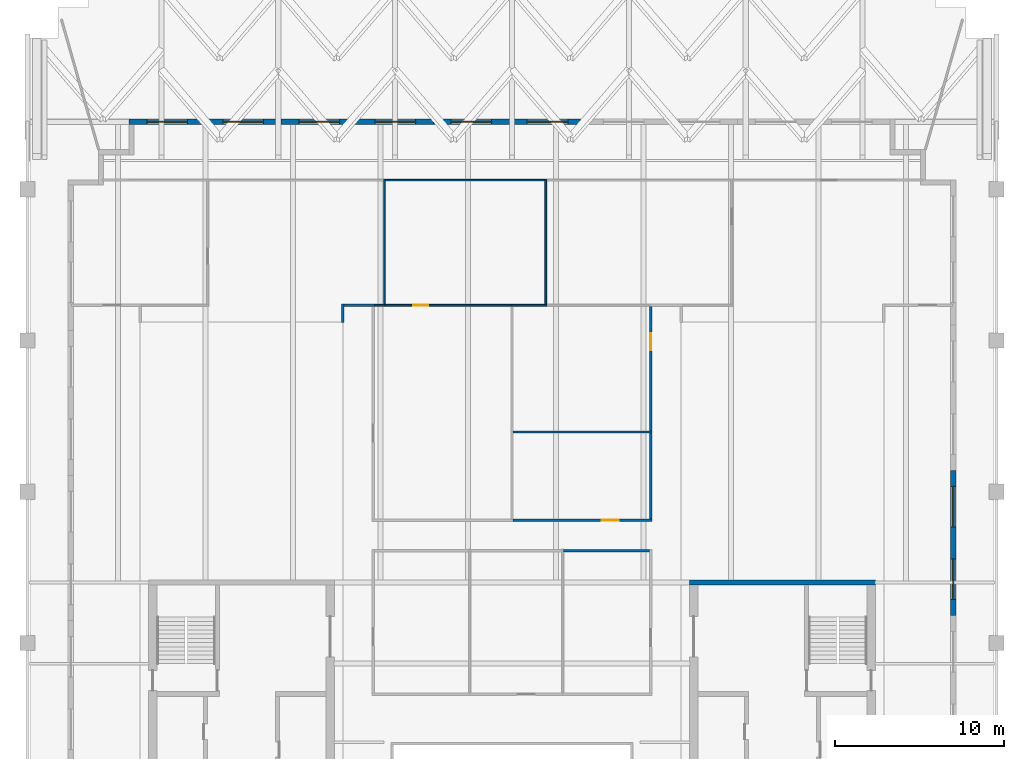
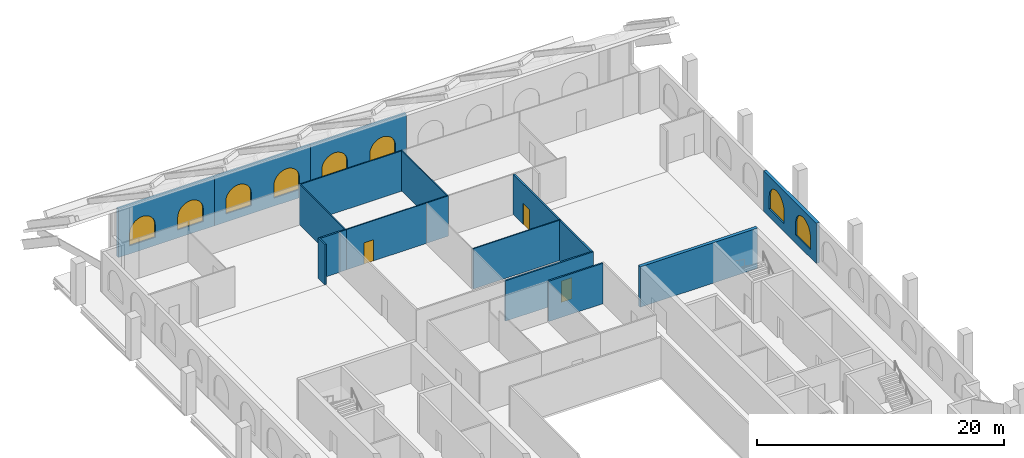
# One storey, part 7 of 10: 18 walls, 8 windows, 3 doors, 11 openings.
"""IFC4 building model written with IfcOpenShell, lengths in metres."""

import ifcopenshell
import ifcopenshell.guid

model = None  # the IFC model being written
_history = None  # IfcOwnerHistory: only IFC2X3 demands one
_inside = {}  # id of a spatial element -> (the spatial element, [elements in it])
_under = {}  # id of a project, library or spatial element -> (it, [spatial elements below it])
_declared = {}  # id of a project -> (the project, [libraries it declares])
_typed = {}  # id of a type object -> (the type object, [elements of that type])
_made_of = {}  # id of a material, layer set ... -> (it, [elements and type objects made of it])


def new_model(schema):
    """Start an empty IFC model of exactly this schema.

    Asked for "IFC4X3", IfcOpenShell would pick the latest addendum, in which some entities
    have other attributes; the version numbers below select the first issue.
    IFC2X3 requires an IfcOwnerHistory on every rooted entity: one is made here for all.
    """
    global model, _history
    if schema == "IFC4X3":
        model = ifcopenshell.file(schema_version=(4, 3, 0, 0))
    else:
        model = ifcopenshell.file(schema=schema)
    _inside.clear()
    _under.clear()
    _declared.clear()
    _typed.clear()
    _made_of.clear()
    _history = None
    if model.schema == "IFC2X3":
        org = make("IfcOrganization", Name="unknown")
        user = make(
            "IfcPersonAndOrganization",
            ThePerson=make("IfcPerson", FamilyName="unknown"),
            TheOrganization=org,
        )
        app = make(
            "IfcApplication",
            ApplicationDeveloper=org,
            Version="unknown",
            ApplicationFullName="unknown",
            ApplicationIdentifier="unknown",
        )
        _history = make(
            "IfcOwnerHistory",
            OwningUser=user,
            OwningApplication=app,
            ChangeAction="ADDED",
            CreationDate=0,
        )
    return model


def make(cls, **values):
    """One entity of the class cls with the attributes given. An attribute that is None is left unset."""
    return model.create_entity(
        cls, **{name: value for name, value in values.items() if value is not None}
    )


def rooted(cls, **values):
    """An entity with a GlobalId (a new one), such as an element, a storey or a relation."""
    return make(cls, GlobalId=ifcopenshell.guid.new(), OwnerHistory=_history, **values)


def si_unit(unit_type, name, prefix=None):
    """IfcSIUnit, for example si_unit("LENGTHUNIT", "METRE", prefix="MILLI")."""
    return make("IfcSIUnit", UnitType=unit_type, Prefix=prefix, Name=name)


def assignment(units):
    """IfcUnitAssignment: the units of a project."""
    return None if units is None else make("IfcUnitAssignment", Units=units)


def point(xyz):
    """IfcCartesianPoint."""
    return None if xyz is None else make("IfcCartesianPoint", Coordinates=xyz)


def direction(xyz):
    """IfcDirection."""
    return None if xyz is None else make("IfcDirection", DirectionRatios=xyz)


def frame(location, z_axis=None, x_axis=None):
    """IfcAxis2Placement3D, a coordinate frame: its origin and axes. An axis left out is left unset."""
    return make(
        "IfcAxis2Placement3D",
        Location=point(location),
        Axis=direction(z_axis),
        RefDirection=direction(x_axis),
    )


def frame_2d(location, x_axis=None):
    """IfcAxis2Placement2D, a coordinate frame in the plane: its origin and x axis."""
    return make(
        "IfcAxis2Placement2D", Location=point(location), RefDirection=direction(x_axis)
    )


def origin():
    """The frame at (0, 0, 0) with its axes left unset."""
    return frame((0.0, 0.0, 0.0))


def place(relative_to, where):
    """IfcLocalPlacement: puts the frame where relative to a parent placement (None: the world)."""
    return make(
        "IfcLocalPlacement", PlacementRelTo=relative_to, RelativePlacement=where
    )


def context(
    kind, dimensions, precision=None, world=None, true_north=None, identifier=None
):
    """IfcGeometricRepresentationContext, for example the 3D "Model" context."""
    return make(
        "IfcGeometricRepresentationContext",
        ContextIdentifier=identifier,
        ContextType=kind,
        CoordinateSpaceDimension=dimensions,
        Precision=precision,
        WorldCoordinateSystem=world,
        TrueNorth=true_north,
    )


def subcontext(parent, identifier, kind, view, scale=None):
    """IfcGeometricRepresentationSubContext, for example "Body" below "Model"."""
    return make(
        "IfcGeometricRepresentationSubContext",
        ContextIdentifier=identifier,
        ContextType=kind,
        ParentContext=parent,
        TargetScale=scale,
        TargetView=view,
    )


def project(units=None, contexts=None):
    """IfcProject with its units and contexts."""
    return rooted(
        "IfcProject",
        Name="project",
        RepresentationContexts=contexts,
        UnitsInContext=assignment(units),
    )


def spatial(cls, under=None, at=None, **own):
    """A site, building, storey or space (cls), placed at a placement, below another one or the project."""
    s = rooted(cls, ObjectPlacement=at, **own)
    if under is not None:
        _under.setdefault(under.id(), (under, []))[1].append(s)
    return s


def polyline(points):
    """IfcPolyline through the points."""
    return make("IfcPolyline", Points=[point(p) for p in points])


def profile(cls, at=None, kind="AREA", **sizes):
    """A parametric profile (cls). Its sizes go by their IFC names, for example OverallWidth=200.0."""
    return make(cls, ProfileType=kind, Position=at, **sizes)


def rectangle(**sizes):
    """IfcRectangleProfileDef."""
    return profile("IfcRectangleProfileDef", **sizes)


def outline(outer, holes=None, kind="AREA"):
    """IfcArbitraryClosedProfileDef: a profile drawn as a closed curve; with holes, ...WithVoids."""
    if holes is None:
        return make("IfcArbitraryClosedProfileDef", ProfileType=kind, OuterCurve=outer)
    return make(
        "IfcArbitraryProfileDefWithVoids",
        ProfileType=kind,
        OuterCurve=outer,
        InnerCurves=holes,
    )


def extrude(swept, where, along, depth):
    """IfcExtrudedAreaSolid: the profile swept, set in the frame where, extruded along a direction by depth."""
    return make(
        "IfcExtrudedAreaSolid",
        SweptArea=swept,
        Position=where,
        ExtrudedDirection=direction(along),
        Depth=depth,
    )


def shape(context_of_items, identifier, shape_type, items):
    """IfcShapeRepresentation: the items that make up one representation, for example the "Body"."""
    return make(
        "IfcShapeRepresentation",
        ContextOfItems=context_of_items,
        RepresentationIdentifier=identifier,
        RepresentationType=shape_type,
        Items=items,
    )


def material(Name=None, Category=None):
    """IfcMaterial."""
    return make("IfcMaterial", Name=Name, Category=Category)


def layer(
    of_material, thickness, ventilated=None, Name=None, Category=None, Priority=None
):
    """IfcMaterialLayer: one layer of a wall or slab, of a material (None: an air gap)."""
    return make(
        "IfcMaterialLayer",
        Material=of_material,
        LayerThickness=thickness,
        IsVentilated=ventilated,
        Name=Name,
        Category=Category,
        Priority=Priority,
    )


def layer_set(layers, Name=None):
    """IfcMaterialLayerSet."""
    return make("IfcMaterialLayerSet", MaterialLayers=layers, LayerSetName=Name)


def made_of(thing, what):
    """Note that an element or type object is made of a material, layer set ...; save() writes the relation."""
    if what is not None:
        _made_of.setdefault(what.id(), (what, []))[1].append(thing)
    return thing


def type_object(cls, material=None, **own):
    """A type object (cls), such as IfcWallType, which elements share."""
    return made_of(rooted(cls, **own), material)


def element(
    cls,
    number,
    at=None,
    inside=None,
    cuts=None,
    type_object=None,
    material=None,
    context=None,
    identifier="Body",
    shape_type=None,
    held_by="IfcProductDefinitionShape",
    body=None,
    shapes=None,
    **own,
):
    """One element of the class cls, such as IfcWall. Its Tag is "e" and its number.

    at: its placement. inside: the storey or other place that contains it. cuts: it is an
    opening in that element (IfcRelVoidsElement). A single representation is given by context,
    identifier, shape_type and body (its items); several are given by shapes. held_by: the class
    of the entity that holds the representations. save() writes the other relations.
    """
    e = rooted(cls, Tag="e%d" % number, ObjectPlacement=at, **own)
    if body is not None:
        shapes = [shape(context, identifier, shape_type, body)]
    if shapes is not None:
        e.Representation = make(held_by, Representations=shapes)
    if inside is not None:
        _inside.setdefault(inside.id(), (inside, []))[1].append(e)
    if cuts is not None:
        rooted(
            "IfcRelVoidsElement", RelatingBuildingElement=cuts, RelatedOpeningElement=e
        )
    if type_object is not None:
        _typed.setdefault(type_object.id(), (type_object, []))[1].append(e)
    return made_of(e, material)


def fill(opening, filler):
    """IfcRelFillsElement: the door or window that sits in an opening."""
    return rooted(
        "IfcRelFillsElement",
        RelatingOpeningElement=opening,
        RelatedBuildingElement=filler,
    )


def aggregate(whole, parts):
    """IfcRelAggregates: a whole, such as a stair, and the parts it consists of."""
    return rooted("IfcRelAggregates", RelatingObject=whole, RelatedObjects=parts)


def save(model, path):
    """Write the relations noted so far, then the file.

    IfcRelAggregates (storeys below a building ...), IfcRelContainedInSpatialStructure (elements
    in a storey), IfcRelDefinesByType, IfcRelAssociatesMaterial and IfcRelDeclares: one each for
    every whole, place, type object, material and project.
    """
    for whole, parts in _under.values():
        aggregate(whole, parts)
    for where, things in _inside.values():
        rooted(
            "IfcRelContainedInSpatialStructure",
            RelatedElements=things,
            RelatingStructure=where,
        )
    for kind, things in _typed.values():
        rooted("IfcRelDefinesByType", RelatedObjects=things, RelatingType=kind)
    for what, things in _made_of.values():
        rooted("IfcRelAssociatesMaterial", RelatedObjects=things, RelatingMaterial=what)
    for by, libraries in _declared.values():
        rooted("IfcRelDeclares", RelatingContext=by, RelatedDefinitions=libraries)
    model.write(path)


model = new_model("IFC4")

# Units and contexts
model_context = context("Model", 3, precision=1e-05, world=origin(), true_north=direction((0.0, 1.0)))
body_context = subcontext(model_context, "Body", "Model", "MODEL_VIEW")
ifc_project = project(units=[si_unit("LENGTHUNIT", "METRE"), si_unit("AREAUNIT", "SQUARE_METRE"), si_unit("VOLUMEUNIT", "CUBIC_METRE"), si_unit("PLANEANGLEUNIT", "RADIAN"), si_unit("MASSUNIT", "GRAM", prefix="KILO")], contexts=[model_context])

# Site, building, storey
site_placement = place(None, origin())
site = spatial("IfcSite", under=ifc_project, at=site_placement, CompositionType="ELEMENT")
building_placement = place(site_placement, origin())
building = spatial("IfcBuilding", under=site, at=building_placement, Name="Ogive Exchange Tower", CompositionType="ELEMENT")
storey_placement = place(building_placement, frame((0.0, 0.0, 369.0)))
storey = spatial("IfcBuildingStorey", under=building, at=storey_placement, Name="C01", CompositionType="ELEMENT", Elevation=369.0)

# Walls
ifc_material_1 = material(Name="Fire partition EI 60 150")
ifc_layer_1 = layer(ifc_material_1, 0.14990234375)
ifc_layer_set_1 = layer_set([ifc_layer_1], Name="Fire partition EI 60 150")
wall_type_1 = type_object("IfcWallType", Name="Fire partition EI 60 150", PredefinedType="PARTITIONING", material=ifc_layer_set_1)
wall_1_placement = place(storey_placement, frame((-10.0, 40.989990234375, 0.0), z_axis=(0.0, 0.0, 1.0), x_axis=(0.0, 1.0, 0.0)))
element("IfcWall", 1, at=wall_1_placement, inside=storey, type_object=wall_type_1, Name="C01-PWL-007", PredefinedType="PARTITIONING", context=body_context, shape_type="SweptSolid", body=[
    extrude(rectangle(XDim=1.0849609375, YDim=0.14990234375, at=frame_2d((0.54248046875, 0.0))), origin(), (0.0, 0.0, 1.0), 4.0),
])
wall_2_placement = place(storey_placement, frame((-9.925048828125, 42.0, 0.0), z_axis=(0.0, 0.0, 1.0), x_axis=(1.0, 0.0, 0.0)))
element("IfcWall", 2, at=wall_2_placement, inside=storey, type_object=wall_type_1, Name="C01-PWL-008", PredefinedType="PARTITIONING", context=body_context, shape_type="SweptSolid", body=[
    extrude(rectangle(XDim=1.800048828125, YDim=0.14990234375, at=frame_2d((0.89990234375, 0.0))), origin(), (0.0, 0.0, 1.0), 4.0),
])

# Wall, opening, door
wall_3_placement = place(storey_placement, frame((0.050048828125, 29.280029296875, 0.0), z_axis=(0.0, 0.0, 1.0), x_axis=(1.0, 0.0, 0.0)))
wall_3 = element("IfcWall", 3, at=wall_3_placement, inside=storey, type_object=wall_type_1, Name="C01-PWL-020", PredefinedType="PARTITIONING", context=body_context, shape_type="SweptSolid", body=[
    extrude(rectangle(XDim=8.224853515625, YDim=0.14990234375, at=frame_2d((4.1123046875, 0.0))), origin(), (0.0, 0.0, 1.0), 4.0),
])
opening_1_placement = place(wall_3_placement, frame((5.25, 0.0, 0.0)))
opening_1 = element("IfcOpeningElement", 4, at=opening_1_placement, cuts=wall_3, Name="Opening C01-I03", PredefinedType="OPENING", context=body_context, shape_type="SweptSolid", body=[
    extrude(rectangle(XDim=1.0, YDim=2.10009765625, at=frame_2d((0.5, 1.050048828125))), frame((0.0, 0.0849609375, 0.0), z_axis=(0.0, -1.0, 0.0), x_axis=(1.0, 0.0, 0.0)), (0.0, 0.0, 1.0), 0.169921875),
])
ifc_material_2 = material(Name="Fire door FD 30S 1000 x 2100")
door_type_1 = type_object("IfcDoorType", Name="Fire door FD 30S 1000 x 2100", OperationType="NOTDEFINED", PredefinedType="DOOR", material=ifc_material_2)
door_1_placement = place(opening_1_placement, origin())
door_1 = element("IfcDoor", 5, at=door_1_placement, inside=storey, type_object=door_type_1, Name="C01-IDR-003", ObjectType="DT3", OperationType="SINGLE_SWING_LEFT", OverallHeight=2.10009765625, OverallWidth=1.0, PredefinedType="DOOR", context=body_context, shape_type="SweptSolid", body=[
    extrude(rectangle(XDim=1.0, YDim=2.10009765625, at=frame_2d((0.5, 1.050048828125))), frame((0.0, 0.02490234375, 0.0), z_axis=(0.0, -1.0, 0.0), x_axis=(1.0, 0.0, 0.0)), (0.0, 0.0, 1.0), 0.050048828125),
])
fill(opening_1, door_1)

# Walls
wall_4_placement = place(storey_placement, frame((8.125, 27.47998046875, 0.0), z_axis=(0.0, 0.0, 1.0), x_axis=(-1.0, 0.0, 0.0)))
element("IfcWall", 6, at=wall_4_placement, inside=storey, type_object=wall_type_1, Name="C01-PWL-032", PredefinedType="PARTITIONING", context=body_context, shape_type="SweptSolid", body=[
    extrude(rectangle(XDim=5.074951171875, YDim=0.14990234375, at=frame_2d((2.53759765625, 0.0))), origin(), (0.0, 0.0, 1.0), 4.0),
])
wall_5_placement = place(storey_placement, frame((8.199951171875, 29.35498046875, 0.0), z_axis=(0.0, 0.0, 1.0), x_axis=(0.0, 1.0, 0.0)))
element("IfcWall", 7, at=wall_5_placement, inside=storey, type_object=wall_type_1, Name="C01-PWL-033", PredefinedType="PARTITIONING", context=body_context, shape_type="SweptSolid", body=[
    extrude(rectangle(XDim=5.094970703125, YDim=0.14990234375, at=frame_2d((2.54736328125, 0.0))), origin(), (0.0, 0.0, 1.0), 4.0),
])

# Wall, opening, door
wall_6_placement = place(storey_placement, frame((8.199951171875, 34.550048828125, 0.0), z_axis=(0.0, 0.0, 1.0), x_axis=(0.0, 1.0, 0.0)))
wall_6 = element("IfcWall", 8, at=wall_6_placement, inside=storey, type_object=wall_type_1, Name="C01-PWL-034", PredefinedType="PARTITIONING", context=body_context, shape_type="SweptSolid", body=[
    extrude(rectangle(XDim=7.39990234375, YDim=0.14990234375, at=frame_2d((3.699951171875, 0.0))), origin(), (0.0, 0.0, 1.0), 4.0),
])
opening_2_placement = place(wall_6_placement, frame((4.800048828125, 0.0, 0.0)))
opening_2 = element("IfcOpeningElement", 9, at=opening_2_placement, cuts=wall_6, Name="Opening C01-I04", PredefinedType="OPENING", context=body_context, shape_type="SweptSolid", body=[
    extrude(rectangle(XDim=1.0, YDim=2.10009765625, at=frame_2d((0.5, 1.050048828125))), frame((0.0, 0.0849609375, 0.0), z_axis=(0.0, -1.0, 0.0), x_axis=(1.0, 0.0, 0.0)), (0.0, 0.0, 1.0), 0.169921875),
])
door_2_placement = place(opening_2_placement, origin())
door_2 = element("IfcDoor", 10, at=door_2_placement, inside=storey, type_object=door_type_1, Name="C01-IDR-004", ObjectType="DT3", OperationType="SINGLE_SWING_LEFT", OverallHeight=2.10009765625, OverallWidth=1.0, PredefinedType="DOOR", context=body_context, shape_type="SweptSolid", body=[
    extrude(rectangle(XDim=1.0, YDim=2.10009765625, at=frame_2d((0.5, 1.050048828125))), frame((0.0, 0.02490234375, 0.0), z_axis=(0.0, -1.0, 0.0), x_axis=(1.0, 0.0, 0.0)), (0.0, 0.0, 1.0), 0.050048828125),
])
fill(opening_2, door_2)

# Walls
ifc_material_3 = material(Name="Partition 100 gypsum")
ifc_layer_2 = layer(ifc_material_3, 0.10009765625)
ifc_layer_set_2 = layer_set([ifc_layer_2], Name="Partition 100 gypsum")
wall_type_2 = type_object("IfcWallType", Name="Partition 100 gypsum", PredefinedType="PARTITIONING", material=ifc_layer_set_2)
wall_7_placement = place(storey_placement, frame((-8.125, 42.0, 0.0), z_axis=(0.0, 0.0, 1.0), x_axis=(1.0, 0.0, 0.0)))
element("IfcWall", 11, at=wall_7_placement, inside=storey, type_object=wall_type_2, Name="C01-PWL-013", PredefinedType="PARTITIONING", context=body_context, shape_type="SweptSolid", body=[
    extrude(rectangle(XDim=0.625, YDim=0.10009765625, at=frame_2d((0.3125, 0.0))), origin(), (0.0, 0.0, 1.0), 4.0),
])
wall_8_placement = place(storey_placement, frame((-7.550048828125, 42.050048828125, 0.0), z_axis=(0.0, 0.0, 1.0), x_axis=(0.0, 1.0, 0.0)))
element("IfcWall", 12, at=wall_8_placement, inside=storey, type_object=wall_type_2, Name="C01-PWL-014", PredefinedType="PARTITIONING", context=body_context, shape_type="SweptSolid", body=[
    extrude(rectangle(XDim=7.39990234375, YDim=0.10009765625, at=frame_2d((3.699951171875, 0.0))), origin(), (0.0, 0.0, 1.0), 4.0),
])

# Wall, opening, door
wall_9_placement = place(storey_placement, frame((-7.550048828125, 42.0, 0.0), z_axis=(0.0, 0.0, 1.0), x_axis=(1.0, 0.0, 0.0)))
wall_9 = element("IfcWall", 13, at=wall_9_placement, inside=storey, type_object=wall_type_2, Name="C01-PWL-015", PredefinedType="PARTITIONING", context=body_context, shape_type="SweptSolid", body=[
    extrude(rectangle(XDim=7.60009765625, YDim=0.10009765625, at=frame_2d((3.800048828125, 0.0))), origin(), (0.0, 0.0, 1.0), 4.0),
])
opening_3_placement = place(wall_9_placement, frame((1.699951171875, 0.0, 0.0)))
opening_3 = element("IfcOpeningElement", 14, at=opening_3_placement, cuts=wall_9, Name="Opening C01-I07", PredefinedType="OPENING", context=body_context, shape_type="SweptSolid", body=[
    extrude(rectangle(XDim=0.89990234375, YDim=2.10009765625, at=frame_2d((0.449951171875, 1.050048828125))), frame((0.0, 0.06005859375, 0.0), z_axis=(0.0, -1.0, 0.0), x_axis=(1.0, 0.0, 0.0)), (0.0, 0.0, 1.0), 0.1201171875),
])
ifc_material_4 = material(Name="Door 900 x 2100")
door_type_2 = type_object("IfcDoorType", Name="Door 900 x 2100", OperationType="NOTDEFINED", PredefinedType="DOOR", material=ifc_material_4)
door_3_placement = place(opening_3_placement, origin())
door_3 = element("IfcDoor", 15, at=door_3_placement, inside=storey, type_object=door_type_2, Name="C01-IDR-007", ObjectType="DT1", OperationType="SINGLE_SWING_RIGHT", OverallHeight=2.10009765625, OverallWidth=0.89990234375, PredefinedType="DOOR", context=body_context, shape_type="SweptSolid", body=[
    extrude(rectangle(XDim=0.89990234375, YDim=2.10009765625, at=frame_2d((0.449951171875, 1.050048828125))), frame((0.0, 0.02490234375, 0.0), z_axis=(0.0, -1.0, 0.0), x_axis=(1.0, 0.0, 0.0)), (0.0, 0.0, 1.0), 0.050048828125),
])
fill(opening_3, door_3)

# Walls
wall_10_placement = place(storey_placement, frame((0.050048828125, 34.5, 0.0), z_axis=(0.0, 0.0, 1.0), x_axis=(1.0, 0.0, 0.0)))
element("IfcWall", 16, at=wall_10_placement, inside=storey, type_object=wall_type_2, Name="C01-PWL-022", PredefinedType="PARTITIONING", context=body_context, shape_type="SweptSolid", body=[
    extrude(rectangle(XDim=8.224853515625, YDim=0.10009765625, at=frame_2d((4.1123046875, 0.0))), origin(), (0.0, 0.0, 1.0), 4.0),
])
wall_11_placement = place(storey_placement, frame((0.0, 42.0, 0.0), z_axis=(0.0, 0.0, 1.0), x_axis=(1.0, 0.0, 0.0)))
element("IfcWall", 17, at=wall_11_placement, inside=storey, type_object=wall_type_2, Name="C01-PWL-024", PredefinedType="PARTITIONING", context=body_context, shape_type="SweptSolid", body=[
    extrude(rectangle(XDim=2.050048828125, YDim=0.10009765625, at=frame_2d((1.02490234375, 0.0))), origin(), (0.0, 0.0, 1.0), 4.0),
])
wall_12_placement = place(storey_placement, frame((2.0, 42.050048828125, 0.0), z_axis=(0.0, 0.0, 1.0), x_axis=(0.0, 1.0, 0.0)))
element("IfcWall", 18, at=wall_12_placement, inside=storey, type_object=wall_type_2, Name="C01-PWL-025", PredefinedType="PARTITIONING", context=body_context, shape_type="SweptSolid", body=[
    extrude(rectangle(XDim=7.39990234375, YDim=0.10009765625, at=frame_2d((3.699951171875, 0.0))), origin(), (0.0, 0.0, 1.0), 4.0),
])
wall_13_placement = place(storey_placement, frame((1.949951171875, 49.39990234375, 0.0), z_axis=(0.0, 0.0, 1.0), x_axis=(-1.0, 0.0, 0.0)))
element("IfcWall", 19, at=wall_13_placement, inside=storey, type_object=wall_type_2, Name="C01-PWL-027", PredefinedType="PARTITIONING", context=body_context, shape_type="SweptSolid", body=[
    extrude(rectangle(XDim=9.449951171875, YDim=0.10009765625, at=frame_2d((4.72509765625, 0.0))), origin(), (0.0, 0.0, 1.0), 4.0),
])
ifc_material_5 = material(Name="Concrete C70/85", Category="concrete")
ifc_layer_3 = layer(ifc_material_5, 0.300048828125)
ifc_layer_set_3 = layer_set([ifc_layer_3], Name="RC core wall 300 C70/85")
wall_type_3 = type_object("IfcWallType", Name="RC core wall 300 C70/85", PredefinedType="SHEAR", material=ifc_layer_set_3)
wall_14_placement = place(storey_placement, frame((10.5, 25.60009765625, 0.0), z_axis=(0.0, 0.0, 1.0), x_axis=(1.0, 0.0, 0.0)))
element("IfcWall", 20, at=wall_14_placement, inside=storey, type_object=wall_type_3, Name="E north end wall", PredefinedType="SHEAR", context=body_context, shape_type="SweptSolid", body=[
    extrude(rectangle(XDim=11.0, YDim=0.300048828125, at=frame_2d((5.5, 0.0))), origin(), (0.0, 0.0, 1.0), 4.0),
])

# Wall, openings, windows
ifc_material_6 = material(Name="Precast concrete C40/50", Category="concrete")
ifc_layer_4 = layer(ifc_material_6, 0.300048828125)
ifc_layer_set_4 = layer_set([ifc_layer_4], Name="Zinc-clad crown wall 300")
wall_type_4 = type_object("IfcWallType", Name="Zinc-clad crown wall 300", PredefinedType="STANDARD", material=ifc_layer_set_4)
wall_15_placement = place(storey_placement, frame((26.10009765625, 23.64990234375, 0.0), z_axis=(0.0, 0.0, 1.0), x_axis=(0.0, 1.0, 0.0)))
wall_15 = element("IfcWall", 21, at=wall_15_placement, inside=storey, type_object=wall_type_4, Name="Crown wall 16", PredefinedType="STANDARD", context=body_context, shape_type="SweptSolid", body=[
    extrude(rectangle(XDim=8.58349609375, YDim=0.300048828125, at=frame_2d((4.291748046875, 0.0))), origin(), (0.0, 0.0, 1.0), 4.0),
])
opening_4_placement = place(wall_15_placement, frame((0.94580078125, 0.0, 0.800048828125)))
opening_4 = element("IfcOpeningElement", 22, at=opening_4_placement, cuts=wall_15, Name="Opening WC25", PredefinedType="OPENING", context=body_context, shape_type="SweptSolid", body=[
    extrude(outline(polyline([(0.0, 0.0), (2.39990234375, 0.0), (2.39990234375, 1.25), (2.377197265625, 1.48779296875), (2.3095703125, 1.717041015625), (2.19970703125, 1.928955078125), (2.05126953125, 2.116455078125), (1.8701171875, 2.272216796875), (1.662841796875, 2.390625), (1.4365234375, 2.467529296875), (1.199951171875, 2.5), (0.96337890625, 2.467529296875), (0.737060546875, 2.390625), (0.52978515625, 2.272216796875), (0.3486328125, 2.116455078125), (0.2001953125, 1.928955078125), (0.09033203125, 1.717041015625), (0.022705078125, 1.48779296875), (0.0, 1.25), (0.0, 0.0)])), frame((0.0, 0.159912109375, 0.0), z_axis=(0.0, -1.0, 0.0), x_axis=(1.0, 0.0, 0.0)), (0.0, 0.0, 1.0), 0.320068359375),
])
opening_5_placement = place(wall_15_placement, frame((5.237548828125, 0.0, 0.800048828125)))
opening_5 = element("IfcOpeningElement", 23, at=opening_5_placement, cuts=wall_15, Name="Opening WC25", PredefinedType="OPENING", context=body_context, shape_type="SweptSolid", body=[
    extrude(outline(polyline([(0.0, 0.0), (2.39990234375, 0.0), (2.39990234375, 1.25), (2.377197265625, 1.48779296875), (2.3095703125, 1.717041015625), (2.19970703125, 1.928955078125), (2.05126953125, 2.116455078125), (1.8701171875, 2.272216796875), (1.662841796875, 2.390625), (1.4365234375, 2.467529296875), (1.199951171875, 2.5), (0.96337890625, 2.467529296875), (0.737060546875, 2.390625), (0.52978515625, 2.272216796875), (0.3486328125, 2.116455078125), (0.2001953125, 1.928955078125), (0.09033203125, 1.717041015625), (0.022705078125, 1.48779296875), (0.0, 1.25), (0.0, 0.0)])), frame((0.0, 0.159912109375, 0.0), z_axis=(0.0, -1.0, 0.0), x_axis=(1.0, 0.0, 0.0)), (0.0, 0.0, 1.0), 0.320068359375),
])
ifc_material_7 = material(Name="Clear glass in bronze frame", Category="glass")
window_type = type_object("IfcWindowType", Name="Crown lancet window 2400 x 2500", PartitioningType="DOUBLE_PANEL_VERTICAL", PredefinedType="WINDOW", material=ifc_material_7)
window_1_placement = place(opening_4_placement, origin())
window_1 = element("IfcWindow", 24, at=window_1_placement, inside=storey, type_object=window_type, Name="Crown lancet 16.1", OverallHeight=2.5, OverallWidth=2.39990234375, PartitioningType="DOUBLE_PANEL_VERTICAL", PredefinedType="WINDOW", context=body_context, shape_type="SweptSolid", body=[
    extrude(outline(polyline([(0.0, 0.0), (2.39990234375, 0.0), (2.39990234375, 1.25), (2.377197265625, 1.48779296875), (2.3095703125, 1.717041015625), (2.19970703125, 1.928955078125), (2.05126953125, 2.116455078125), (1.8701171875, 2.272216796875), (1.662841796875, 2.390625), (1.4365234375, 2.467529296875), (1.199951171875, 2.5), (0.96337890625, 2.467529296875), (0.737060546875, 2.390625), (0.52978515625, 2.272216796875), (0.3486328125, 2.116455078125), (0.2001953125, 1.928955078125), (0.09033203125, 1.717041015625), (0.022705078125, 1.48779296875), (0.0, 1.25), (0.0, 0.0)])), frame((0.0, 0.030029296875, 0.0), z_axis=(0.0, -1.0, 0.0), x_axis=(1.0, 0.0, 0.0)), (0.0, 0.0, 1.0), 0.06005859375),
])
fill(opening_4, window_1)
window_2_placement = place(opening_5_placement, origin())
window_2 = element("IfcWindow", 25, at=window_2_placement, inside=storey, type_object=window_type, Name="Crown lancet 16.2", OverallHeight=2.5, OverallWidth=2.39990234375, PartitioningType="DOUBLE_PANEL_VERTICAL", PredefinedType="WINDOW", context=body_context, shape_type="SweptSolid", body=[
    extrude(outline(polyline([(0.0, 0.0), (2.39990234375, 0.0), (2.39990234375, 1.25), (2.377197265625, 1.48779296875), (2.3095703125, 1.717041015625), (2.19970703125, 1.928955078125), (2.05126953125, 2.116455078125), (1.8701171875, 2.272216796875), (1.662841796875, 2.390625), (1.4365234375, 2.467529296875), (1.199951171875, 2.5), (0.96337890625, 2.467529296875), (0.737060546875, 2.390625), (0.52978515625, 2.272216796875), (0.3486328125, 2.116455078125), (0.2001953125, 1.928955078125), (0.09033203125, 1.717041015625), (0.022705078125, 1.48779296875), (0.0, 1.25), (0.0, 0.0)])), frame((0.0, 0.030029296875, 0.0), z_axis=(0.0, -1.0, 0.0), x_axis=(1.0, 0.0, 0.0)), (0.0, 0.0, 1.0), 0.06005859375),
])
fill(opening_5, window_2)

wall_16_placement = place(storey_placement, frame((4.35009765625, 52.85009765625, 0.0), z_axis=(0.0, 0.0, 1.0), x_axis=(-1.0, 0.0, 0.0)))
wall_16 = element("IfcWall", 26, at=wall_16_placement, inside=storey, type_object=wall_type_4, Name="Crown wall 25", PredefinedType="STANDARD", context=body_context, shape_type="SweptSolid", body=[
    extrude(rectangle(XDim=9.0, YDim=0.300048828125, at=frame_2d((4.5, 0.0))), origin(), (0.0, 0.0, 1.0), 4.799560546875),
])
opening_6_placement = place(wall_16_placement, frame((1.050048828125, 0.0, 0.800048828125)))
opening_6 = element("IfcOpeningElement", 27, at=opening_6_placement, cuts=wall_16, Name="Opening WC25", PredefinedType="OPENING", context=body_context, shape_type="SweptSolid", body=[
    extrude(outline(polyline([(0.0, 0.0), (2.39990234375, 0.0), (2.39990234375, 1.25), (2.377197265625, 1.48779296875), (2.3095703125, 1.717041015625), (2.19970703125, 1.928955078125), (2.05126953125, 2.116455078125), (1.8701171875, 2.272216796875), (1.662841796875, 2.390625), (1.4365234375, 2.467529296875), (1.199951171875, 2.5), (0.96337890625, 2.467529296875), (0.737060546875, 2.390625), (0.52978515625, 2.272216796875), (0.3486328125, 2.116455078125), (0.2001953125, 1.928955078125), (0.09033203125, 1.717041015625), (0.022705078125, 1.48779296875), (0.0, 1.25), (0.0, 0.0)])), frame((0.0, 0.159912109375, 0.0), z_axis=(0.0, -1.0, 0.0), x_axis=(1.0, 0.0, 0.0)), (0.0, 0.0, 1.0), 0.320068359375),
])
opening_7_placement = place(wall_16_placement, frame((5.550048828125, 0.0, 0.800048828125)))
opening_7 = element("IfcOpeningElement", 28, at=opening_7_placement, cuts=wall_16, Name="Opening WC25", PredefinedType="OPENING", context=body_context, shape_type="SweptSolid", body=[
    extrude(outline(polyline([(0.0, 0.0), (2.39990234375, 0.0), (2.39990234375, 1.25), (2.377197265625, 1.48779296875), (2.3095703125, 1.717041015625), (2.19970703125, 1.928955078125), (2.05126953125, 2.116455078125), (1.8701171875, 2.272216796875), (1.662841796875, 2.390625), (1.4365234375, 2.467529296875), (1.199951171875, 2.5), (0.96337890625, 2.467529296875), (0.737060546875, 2.390625), (0.52978515625, 2.272216796875), (0.3486328125, 2.116455078125), (0.2001953125, 1.928955078125), (0.09033203125, 1.717041015625), (0.022705078125, 1.48779296875), (0.0, 1.25), (0.0, 0.0)])), frame((0.0, 0.159912109375, 0.0), z_axis=(0.0, -1.0, 0.0), x_axis=(1.0, 0.0, 0.0)), (0.0, 0.0, 1.0), 0.320068359375),
])
window_3_placement = place(opening_6_placement, origin())
window_3 = element("IfcWindow", 29, at=window_3_placement, inside=storey, type_object=window_type, Name="Crown lancet 25.1", OverallHeight=2.5, OverallWidth=2.39990234375, PartitioningType="DOUBLE_PANEL_VERTICAL", PredefinedType="WINDOW", context=body_context, shape_type="SweptSolid", body=[
    extrude(outline(polyline([(0.0, 0.0), (2.39990234375, 0.0), (2.39990234375, 1.25), (2.377197265625, 1.48779296875), (2.3095703125, 1.717041015625), (2.19970703125, 1.928955078125), (2.05126953125, 2.116455078125), (1.8701171875, 2.272216796875), (1.662841796875, 2.390625), (1.4365234375, 2.467529296875), (1.199951171875, 2.5), (0.96337890625, 2.467529296875), (0.737060546875, 2.390625), (0.52978515625, 2.272216796875), (0.3486328125, 2.116455078125), (0.2001953125, 1.928955078125), (0.09033203125, 1.717041015625), (0.022705078125, 1.48779296875), (0.0, 1.25), (0.0, 0.0)])), frame((0.0, 0.030029296875, 0.0), z_axis=(0.0, -1.0, 0.0), x_axis=(1.0, 0.0, 0.0)), (0.0, 0.0, 1.0), 0.06005859375),
])
fill(opening_6, window_3)
window_4_placement = place(opening_7_placement, origin())
window_4 = element("IfcWindow", 30, at=window_4_placement, inside=storey, type_object=window_type, Name="Crown lancet 25.2", OverallHeight=2.5, OverallWidth=2.39990234375, PartitioningType="DOUBLE_PANEL_VERTICAL", PredefinedType="WINDOW", context=body_context, shape_type="SweptSolid", body=[
    extrude(outline(polyline([(0.0, 0.0), (2.39990234375, 0.0), (2.39990234375, 1.25), (2.377197265625, 1.48779296875), (2.3095703125, 1.717041015625), (2.19970703125, 1.928955078125), (2.05126953125, 2.116455078125), (1.8701171875, 2.272216796875), (1.662841796875, 2.390625), (1.4365234375, 2.467529296875), (1.199951171875, 2.5), (0.96337890625, 2.467529296875), (0.737060546875, 2.390625), (0.52978515625, 2.272216796875), (0.3486328125, 2.116455078125), (0.2001953125, 1.928955078125), (0.09033203125, 1.717041015625), (0.022705078125, 1.48779296875), (0.0, 1.25), (0.0, 0.0)])), frame((0.0, 0.030029296875, 0.0), z_axis=(0.0, -1.0, 0.0), x_axis=(1.0, 0.0, 0.0)), (0.0, 0.0, 1.0), 0.06005859375),
])
fill(opening_7, window_4)

wall_17_placement = place(storey_placement, frame((-4.64990234375, 52.85009765625, 0.0), z_axis=(0.0, 0.0, 1.0), x_axis=(-1.0, 0.0, 0.0)))
wall_17 = element("IfcWall", 31, at=wall_17_placement, inside=storey, type_object=wall_type_4, Name="Crown wall 26", PredefinedType="STANDARD", context=body_context, shape_type="SweptSolid", body=[
    extrude(rectangle(XDim=9.0, YDim=0.300048828125, at=frame_2d((4.5, 0.0))), origin(), (0.0, 0.0, 1.0), 4.799560546875),
])
opening_8_placement = place(wall_17_placement, frame((1.050048828125, 0.0, 0.800048828125)))
opening_8 = element("IfcOpeningElement", 32, at=opening_8_placement, cuts=wall_17, Name="Opening WC25", PredefinedType="OPENING", context=body_context, shape_type="SweptSolid", body=[
    extrude(outline(polyline([(0.0, 0.0), (2.39990234375, 0.0), (2.39990234375, 1.25), (2.377197265625, 1.48779296875), (2.3095703125, 1.717041015625), (2.19970703125, 1.928955078125), (2.05126953125, 2.116455078125), (1.8701171875, 2.272216796875), (1.662841796875, 2.390625), (1.4365234375, 2.467529296875), (1.199951171875, 2.5), (0.96337890625, 2.467529296875), (0.737060546875, 2.390625), (0.52978515625, 2.272216796875), (0.3486328125, 2.116455078125), (0.2001953125, 1.928955078125), (0.09033203125, 1.717041015625), (0.022705078125, 1.48779296875), (0.0, 1.25), (0.0, 0.0)])), frame((0.0, 0.159912109375, 0.0), z_axis=(0.0, -1.0, 0.0), x_axis=(1.0, 0.0, 0.0)), (0.0, 0.0, 1.0), 0.320068359375),
])
opening_9_placement = place(wall_17_placement, frame((5.550048828125, 0.0, 0.800048828125)))
opening_9 = element("IfcOpeningElement", 33, at=opening_9_placement, cuts=wall_17, Name="Opening WC25", PredefinedType="OPENING", context=body_context, shape_type="SweptSolid", body=[
    extrude(outline(polyline([(0.0, 0.0), (2.39990234375, 0.0), (2.39990234375, 1.25), (2.377197265625, 1.48779296875), (2.3095703125, 1.717041015625), (2.19970703125, 1.928955078125), (2.05126953125, 2.116455078125), (1.8701171875, 2.272216796875), (1.662841796875, 2.390625), (1.4365234375, 2.467529296875), (1.199951171875, 2.5), (0.96337890625, 2.467529296875), (0.737060546875, 2.390625), (0.52978515625, 2.272216796875), (0.3486328125, 2.116455078125), (0.2001953125, 1.928955078125), (0.09033203125, 1.717041015625), (0.022705078125, 1.48779296875), (0.0, 1.25), (0.0, 0.0)])), frame((0.0, 0.159912109375, 0.0), z_axis=(0.0, -1.0, 0.0), x_axis=(1.0, 0.0, 0.0)), (0.0, 0.0, 1.0), 0.320068359375),
])
window_5_placement = place(opening_8_placement, origin())
window_5 = element("IfcWindow", 34, at=window_5_placement, inside=storey, type_object=window_type, Name="Crown lancet 26.1", OverallHeight=2.5, OverallWidth=2.39990234375, PartitioningType="DOUBLE_PANEL_VERTICAL", PredefinedType="WINDOW", context=body_context, shape_type="SweptSolid", body=[
    extrude(outline(polyline([(0.0, 0.0), (2.39990234375, 0.0), (2.39990234375, 1.25), (2.377197265625, 1.48779296875), (2.3095703125, 1.717041015625), (2.19970703125, 1.928955078125), (2.05126953125, 2.116455078125), (1.8701171875, 2.272216796875), (1.662841796875, 2.390625), (1.4365234375, 2.467529296875), (1.199951171875, 2.5), (0.96337890625, 2.467529296875), (0.737060546875, 2.390625), (0.52978515625, 2.272216796875), (0.3486328125, 2.116455078125), (0.2001953125, 1.928955078125), (0.09033203125, 1.717041015625), (0.022705078125, 1.48779296875), (0.0, 1.25), (0.0, 0.0)])), frame((0.0, 0.030029296875, 0.0), z_axis=(0.0, -1.0, 0.0), x_axis=(1.0, 0.0, 0.0)), (0.0, 0.0, 1.0), 0.06005859375),
])
fill(opening_8, window_5)
window_6_placement = place(opening_9_placement, origin())
window_6 = element("IfcWindow", 35, at=window_6_placement, inside=storey, type_object=window_type, Name="Crown lancet 26.2", OverallHeight=2.5, OverallWidth=2.39990234375, PartitioningType="DOUBLE_PANEL_VERTICAL", PredefinedType="WINDOW", context=body_context, shape_type="SweptSolid", body=[
    extrude(outline(polyline([(0.0, 0.0), (2.39990234375, 0.0), (2.39990234375, 1.25), (2.377197265625, 1.48779296875), (2.3095703125, 1.717041015625), (2.19970703125, 1.928955078125), (2.05126953125, 2.116455078125), (1.8701171875, 2.272216796875), (1.662841796875, 2.390625), (1.4365234375, 2.467529296875), (1.199951171875, 2.5), (0.96337890625, 2.467529296875), (0.737060546875, 2.390625), (0.52978515625, 2.272216796875), (0.3486328125, 2.116455078125), (0.2001953125, 1.928955078125), (0.09033203125, 1.717041015625), (0.022705078125, 1.48779296875), (0.0, 1.25), (0.0, 0.0)])), frame((0.0, 0.030029296875, 0.0), z_axis=(0.0, -1.0, 0.0), x_axis=(1.0, 0.0, 0.0)), (0.0, 0.0, 1.0), 0.06005859375),
])
fill(opening_9, window_6)

wall_18_placement = place(storey_placement, frame((-13.64990234375, 52.85009765625, 0.0), z_axis=(0.0, 0.0, 1.0), x_axis=(-1.0, 0.0, 0.0)))
wall_18 = element("IfcWall", 36, at=wall_18_placement, inside=storey, type_object=wall_type_4, Name="Crown wall 27", PredefinedType="STANDARD", context=body_context, shape_type="SweptSolid", body=[
    extrude(rectangle(XDim=9.0, YDim=0.300048828125, at=frame_2d((4.5, 0.0))), origin(), (0.0, 0.0, 1.0), 4.799560546875),
])
opening_10_placement = place(wall_18_placement, frame((1.050048828125, 0.0, 0.800048828125)))
opening_10 = element("IfcOpeningElement", 37, at=opening_10_placement, cuts=wall_18, Name="Opening WC25", PredefinedType="OPENING", context=body_context, shape_type="SweptSolid", body=[
    extrude(outline(polyline([(0.0, 0.0), (2.39990234375, 0.0), (2.39990234375, 1.25), (2.377197265625, 1.48779296875), (2.3095703125, 1.717041015625), (2.19970703125, 1.928955078125), (2.05126953125, 2.116455078125), (1.8701171875, 2.272216796875), (1.662841796875, 2.390625), (1.4365234375, 2.467529296875), (1.199951171875, 2.5), (0.96337890625, 2.467529296875), (0.737060546875, 2.390625), (0.52978515625, 2.272216796875), (0.3486328125, 2.116455078125), (0.2001953125, 1.928955078125), (0.09033203125, 1.717041015625), (0.022705078125, 1.48779296875), (0.0, 1.25), (0.0, 0.0)])), frame((0.0, 0.159912109375, 0.0), z_axis=(0.0, -1.0, 0.0), x_axis=(1.0, 0.0, 0.0)), (0.0, 0.0, 1.0), 0.320068359375),
])
opening_11_placement = place(wall_18_placement, frame((5.550048828125, 0.0, 0.800048828125)))
opening_11 = element("IfcOpeningElement", 38, at=opening_11_placement, cuts=wall_18, Name="Opening WC25", PredefinedType="OPENING", context=body_context, shape_type="SweptSolid", body=[
    extrude(outline(polyline([(0.0, 0.0), (2.39990234375, 0.0), (2.39990234375, 1.25), (2.377197265625, 1.48779296875), (2.3095703125, 1.717041015625), (2.19970703125, 1.928955078125), (2.05126953125, 2.116455078125), (1.8701171875, 2.272216796875), (1.662841796875, 2.390625), (1.4365234375, 2.467529296875), (1.199951171875, 2.5), (0.96337890625, 2.467529296875), (0.737060546875, 2.390625), (0.52978515625, 2.272216796875), (0.3486328125, 2.116455078125), (0.2001953125, 1.928955078125), (0.09033203125, 1.717041015625), (0.022705078125, 1.48779296875), (0.0, 1.25), (0.0, 0.0)])), frame((0.0, 0.159912109375, 0.0), z_axis=(0.0, -1.0, 0.0), x_axis=(1.0, 0.0, 0.0)), (0.0, 0.0, 1.0), 0.320068359375),
])
window_7_placement = place(opening_10_placement, origin())
window_7 = element("IfcWindow", 39, at=window_7_placement, inside=storey, type_object=window_type, Name="Crown lancet 27.1", OverallHeight=2.5, OverallWidth=2.39990234375, PartitioningType="DOUBLE_PANEL_VERTICAL", PredefinedType="WINDOW", context=body_context, shape_type="SweptSolid", body=[
    extrude(outline(polyline([(0.0, 0.0), (2.39990234375, 0.0), (2.39990234375, 1.25), (2.377197265625, 1.48779296875), (2.3095703125, 1.717041015625), (2.19970703125, 1.928955078125), (2.05126953125, 2.116455078125), (1.8701171875, 2.272216796875), (1.662841796875, 2.390625), (1.4365234375, 2.467529296875), (1.199951171875, 2.5), (0.96337890625, 2.467529296875), (0.737060546875, 2.390625), (0.52978515625, 2.272216796875), (0.3486328125, 2.116455078125), (0.2001953125, 1.928955078125), (0.09033203125, 1.717041015625), (0.022705078125, 1.48779296875), (0.0, 1.25), (0.0, 0.0)])), frame((0.0, 0.030029296875, 0.0), z_axis=(0.0, -1.0, 0.0), x_axis=(1.0, 0.0, 0.0)), (0.0, 0.0, 1.0), 0.06005859375),
])
fill(opening_10, window_7)
window_8_placement = place(opening_11_placement, origin())
window_8 = element("IfcWindow", 40, at=window_8_placement, inside=storey, type_object=window_type, Name="Crown lancet 27.2", OverallHeight=2.5, OverallWidth=2.39990234375, PartitioningType="DOUBLE_PANEL_VERTICAL", PredefinedType="WINDOW", context=body_context, shape_type="SweptSolid", body=[
    extrude(outline(polyline([(0.0, 0.0), (2.39990234375, 0.0), (2.39990234375, 1.25), (2.377197265625, 1.48779296875), (2.3095703125, 1.717041015625), (2.19970703125, 1.928955078125), (2.05126953125, 2.116455078125), (1.8701171875, 2.272216796875), (1.662841796875, 2.390625), (1.4365234375, 2.467529296875), (1.199951171875, 2.5), (0.96337890625, 2.467529296875), (0.737060546875, 2.390625), (0.52978515625, 2.272216796875), (0.3486328125, 2.116455078125), (0.2001953125, 1.928955078125), (0.09033203125, 1.717041015625), (0.022705078125, 1.48779296875), (0.0, 1.25), (0.0, 0.0)])), frame((0.0, 0.030029296875, 0.0), z_axis=(0.0, -1.0, 0.0), x_axis=(1.0, 0.0, 0.0)), (0.0, 0.0, 1.0), 0.06005859375),
])
fill(opening_11, window_8)

save(model, "model.ifc")
